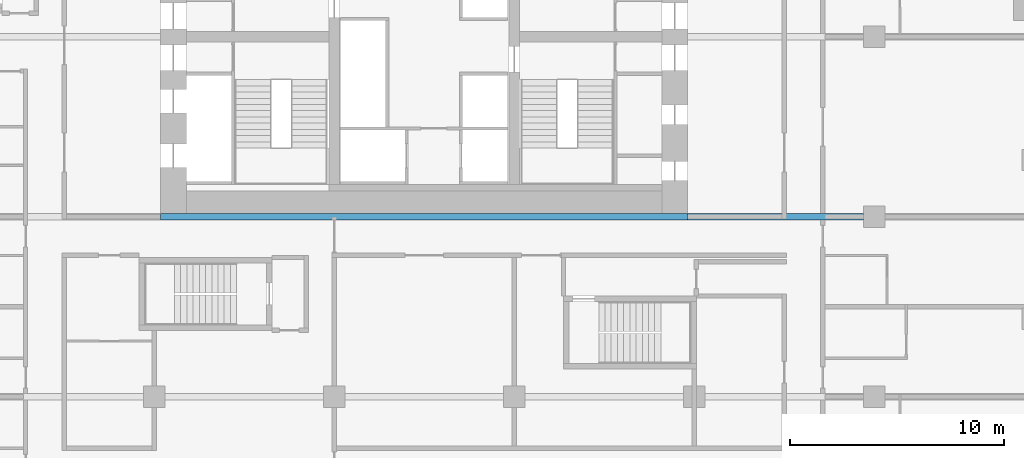
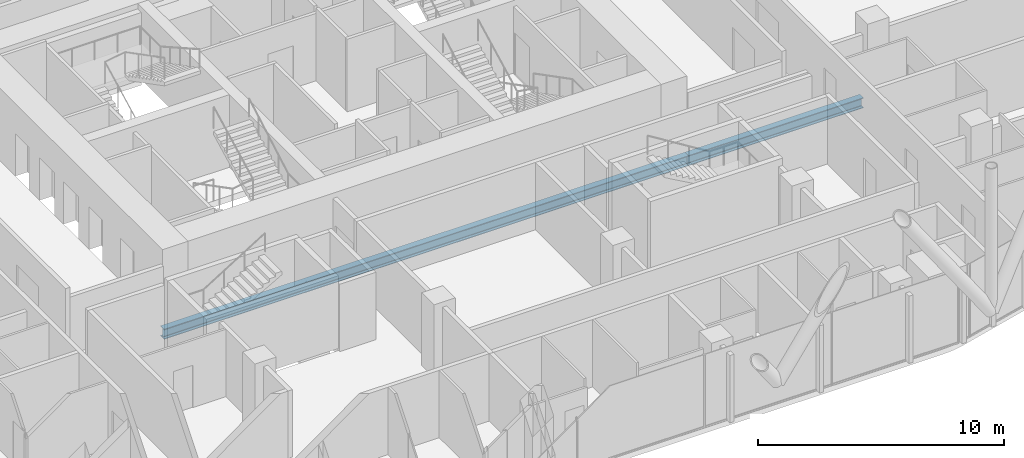
# One storey, part 7 of 34: 2 beams.
"""IFC4 building model written with IfcOpenShell, lengths in metres."""

from ifc_helpers import new_model, si_unit, direction, frame, origin, origin_2d, place, context, subcontext, project, spatial, i_section, extrude, material, material_profile, profile_set, type_object, element, save


model = new_model("IFC4")

# Units and contexts
model_context = context("Model", 3, precision=1e-05, world=origin(), true_north=direction((0.0, 1.0)))
body_context = subcontext(model_context, "Body", "Model", "MODEL_VIEW")
ifc_project = project(units=[si_unit("LENGTHUNIT", "METRE"), si_unit("AREAUNIT", "SQUARE_METRE"), si_unit("VOLUMEUNIT", "CUBIC_METRE"), si_unit("PLANEANGLEUNIT", "RADIAN"), si_unit("MASSUNIT", "GRAM", prefix="KILO")], contexts=[model_context])

# Site, building, storey
site_placement = place(None, origin())
site = spatial("IfcSite", under=ifc_project, at=site_placement, CompositionType="ELEMENT")
building_placement = place(site_placement, origin())
building = spatial("IfcBuilding", under=site, at=building_placement, Name="Marenta Gate Hotel Tower", CompositionType="ELEMENT")
storey_placement = place(building_placement, frame((0.0, 0.0, 76.10009765625)))
storey = spatial("IfcBuildingStorey", under=building, at=storey_placement, Name="L17", CompositionType="ELEMENT", Elevation=76.10009765625)

# Beams
ifc_material = material(Name="Steel S355", Category="steel")
ifc_material_profile = material_profile(ifc_material, i_section(OverallWidth=0.300048828125, OverallDepth=0.5, WebThickness=0.014404296875, FlangeThickness=0.028076171875, FilletRadius=0.027099609375, at=origin_2d()), Name="HEB 500")
ifc_profile_set = profile_set([ifc_material_profile], Name="Steel S355")
beam_type = type_object("IfcBeamType", Name="Girder HEB 500", PredefinedType="BEAM", material=ifc_profile_set)
beam_1_placement = place(storey_placement, frame((-12.300048828125, 0.0, -0.510009765625), z_axis=(1.0, 0.0, 0.0), x_axis=(0.0, 1.0, 0.0)))
element("IfcBeam", 1, at=beam_1_placement, inside=storey, type_object=beam_type, Name="L17-GD-10", PredefinedType="BEAM", context=body_context, shape_type="SweptSolid", body=[
    extrude(i_section(OverallWidth=0.300048828125, OverallDepth=0.5, WebThickness=0.014404296875, FlangeThickness=0.028076171875, FilletRadius=0.027099609375, at=origin_2d()), origin(), (0.0, 0.0, 1.0), 24.60009765625),
])
beam_2_placement = place(storey_placement, frame((12.300048828125, 0.0, -0.510009765625), z_axis=(1.0, 0.0, 0.0), x_axis=(0.0, 1.0, 0.0)))
element("IfcBeam", 2, at=beam_2_placement, inside=storey, type_object=beam_type, Name="L17-GD-11", PredefinedType="BEAM", context=body_context, shape_type="SweptSolid", body=[
    extrude(i_section(OverallWidth=0.300048828125, OverallDepth=0.5, WebThickness=0.014404296875, FlangeThickness=0.028076171875, FilletRadius=0.027099609375, at=origin_2d()), origin(), (0.0, 0.0, 1.0), 8.199951171875),
])

save(model, "model.ifc")
